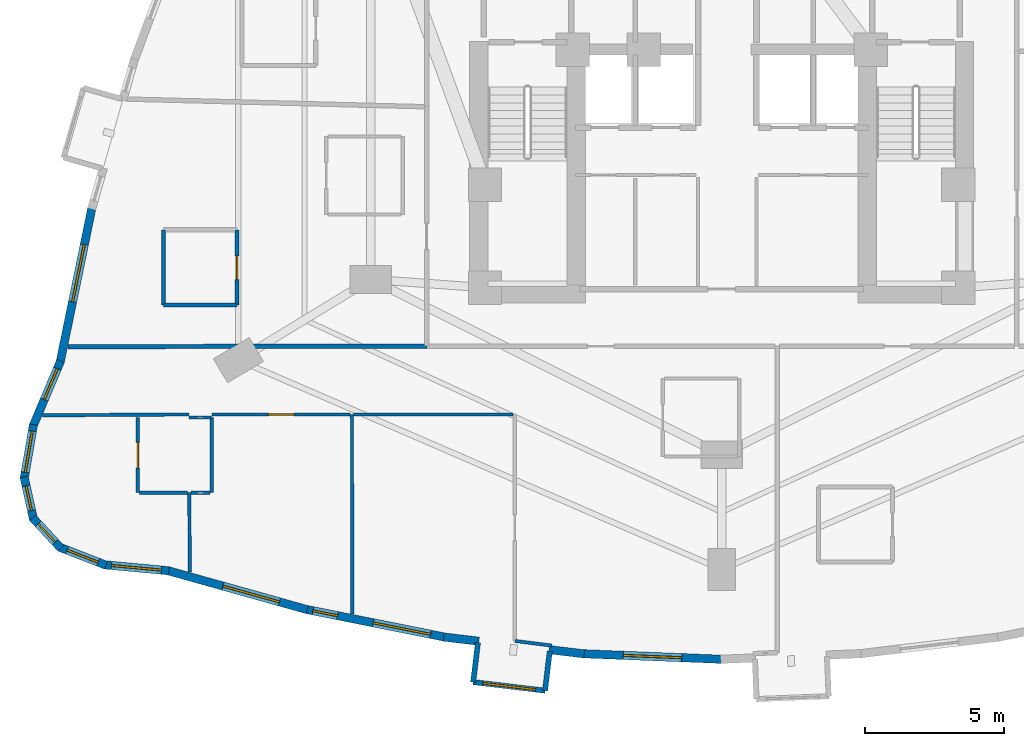
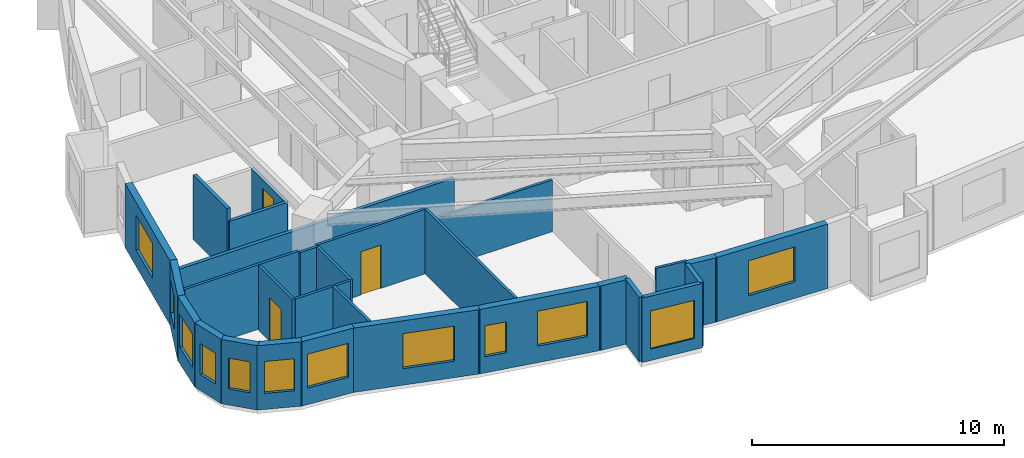
# One storey, part 8 of 15: 30 walls, 12 windows, 3 doors, 15 openings.
"""IFC4 building model written with IfcOpenShell, lengths in metres."""

import ifcopenshell
import ifcopenshell.guid

model = None  # the IFC model being written
_history = None  # IfcOwnerHistory: only IFC2X3 demands one
_inside = {}  # id of a spatial element -> (the spatial element, [elements in it])
_under = {}  # id of a project, library or spatial element -> (it, [spatial elements below it])
_declared = {}  # id of a project -> (the project, [libraries it declares])
_typed = {}  # id of a type object -> (the type object, [elements of that type])
_made_of = {}  # id of a material, layer set ... -> (it, [elements and type objects made of it])


def new_model(schema):
    """Start an empty IFC model of exactly this schema.

    Asked for "IFC4X3", IfcOpenShell would pick the latest addendum, in which some entities
    have other attributes; the version numbers below select the first issue.
    IFC2X3 requires an IfcOwnerHistory on every rooted entity: one is made here for all.
    """
    global model, _history
    if schema == "IFC4X3":
        model = ifcopenshell.file(schema_version=(4, 3, 0, 0))
    else:
        model = ifcopenshell.file(schema=schema)
    _inside.clear()
    _under.clear()
    _declared.clear()
    _typed.clear()
    _made_of.clear()
    _history = None
    if model.schema == "IFC2X3":
        org = make("IfcOrganization", Name="unknown")
        user = make(
            "IfcPersonAndOrganization",
            ThePerson=make("IfcPerson", FamilyName="unknown"),
            TheOrganization=org,
        )
        app = make(
            "IfcApplication",
            ApplicationDeveloper=org,
            Version="unknown",
            ApplicationFullName="unknown",
            ApplicationIdentifier="unknown",
        )
        _history = make(
            "IfcOwnerHistory",
            OwningUser=user,
            OwningApplication=app,
            ChangeAction="ADDED",
            CreationDate=0,
        )
    return model


def make(cls, **values):
    """One entity of the class cls with the attributes given. An attribute that is None is left unset."""
    return model.create_entity(
        cls, **{name: value for name, value in values.items() if value is not None}
    )


def rooted(cls, **values):
    """An entity with a GlobalId (a new one), such as an element, a storey or a relation."""
    return make(cls, GlobalId=ifcopenshell.guid.new(), OwnerHistory=_history, **values)


def si_unit(unit_type, name, prefix=None):
    """IfcSIUnit, for example si_unit("LENGTHUNIT", "METRE", prefix="MILLI")."""
    return make("IfcSIUnit", UnitType=unit_type, Prefix=prefix, Name=name)


def assignment(units):
    """IfcUnitAssignment: the units of a project."""
    return None if units is None else make("IfcUnitAssignment", Units=units)


def point(xyz):
    """IfcCartesianPoint."""
    return None if xyz is None else make("IfcCartesianPoint", Coordinates=xyz)


def direction(xyz):
    """IfcDirection."""
    return None if xyz is None else make("IfcDirection", DirectionRatios=xyz)


def frame(location, z_axis=None, x_axis=None):
    """IfcAxis2Placement3D, a coordinate frame: its origin and axes. An axis left out is left unset."""
    return make(
        "IfcAxis2Placement3D",
        Location=point(location),
        Axis=direction(z_axis),
        RefDirection=direction(x_axis),
    )


def frame_2d(location, x_axis=None):
    """IfcAxis2Placement2D, a coordinate frame in the plane: its origin and x axis."""
    return make(
        "IfcAxis2Placement2D", Location=point(location), RefDirection=direction(x_axis)
    )


def origin():
    """The frame at (0, 0, 0) with its axes left unset."""
    return frame((0.0, 0.0, 0.0))


def place(relative_to, where):
    """IfcLocalPlacement: puts the frame where relative to a parent placement (None: the world)."""
    return make(
        "IfcLocalPlacement", PlacementRelTo=relative_to, RelativePlacement=where
    )


def context(
    kind, dimensions, precision=None, world=None, true_north=None, identifier=None
):
    """IfcGeometricRepresentationContext, for example the 3D "Model" context."""
    return make(
        "IfcGeometricRepresentationContext",
        ContextIdentifier=identifier,
        ContextType=kind,
        CoordinateSpaceDimension=dimensions,
        Precision=precision,
        WorldCoordinateSystem=world,
        TrueNorth=true_north,
    )


def subcontext(parent, identifier, kind, view, scale=None):
    """IfcGeometricRepresentationSubContext, for example "Body" below "Model"."""
    return make(
        "IfcGeometricRepresentationSubContext",
        ContextIdentifier=identifier,
        ContextType=kind,
        ParentContext=parent,
        TargetScale=scale,
        TargetView=view,
    )


def project(units=None, contexts=None):
    """IfcProject with its units and contexts."""
    return rooted(
        "IfcProject",
        Name="project",
        RepresentationContexts=contexts,
        UnitsInContext=assignment(units),
    )


def spatial(cls, under=None, at=None, **own):
    """A site, building, storey or space (cls), placed at a placement, below another one or the project."""
    s = rooted(cls, ObjectPlacement=at, **own)
    if under is not None:
        _under.setdefault(under.id(), (under, []))[1].append(s)
    return s


def profile(cls, at=None, kind="AREA", **sizes):
    """A parametric profile (cls). Its sizes go by their IFC names, for example OverallWidth=200.0."""
    return make(cls, ProfileType=kind, Position=at, **sizes)


def rectangle(**sizes):
    """IfcRectangleProfileDef."""
    return profile("IfcRectangleProfileDef", **sizes)


def extrude(swept, where, along, depth):
    """IfcExtrudedAreaSolid: the profile swept, set in the frame where, extruded along a direction by depth."""
    return make(
        "IfcExtrudedAreaSolid",
        SweptArea=swept,
        Position=where,
        ExtrudedDirection=direction(along),
        Depth=depth,
    )


def shape(context_of_items, identifier, shape_type, items):
    """IfcShapeRepresentation: the items that make up one representation, for example the "Body"."""
    return make(
        "IfcShapeRepresentation",
        ContextOfItems=context_of_items,
        RepresentationIdentifier=identifier,
        RepresentationType=shape_type,
        Items=items,
    )


def material(Name=None, Category=None):
    """IfcMaterial."""
    return make("IfcMaterial", Name=Name, Category=Category)


def layer(
    of_material, thickness, ventilated=None, Name=None, Category=None, Priority=None
):
    """IfcMaterialLayer: one layer of a wall or slab, of a material (None: an air gap)."""
    return make(
        "IfcMaterialLayer",
        Material=of_material,
        LayerThickness=thickness,
        IsVentilated=ventilated,
        Name=Name,
        Category=Category,
        Priority=Priority,
    )


def layer_set(layers, Name=None):
    """IfcMaterialLayerSet."""
    return make("IfcMaterialLayerSet", MaterialLayers=layers, LayerSetName=Name)


def made_of(thing, what):
    """Note that an element or type object is made of a material, layer set ...; save() writes the relation."""
    if what is not None:
        _made_of.setdefault(what.id(), (what, []))[1].append(thing)
    return thing


def type_object(cls, material=None, **own):
    """A type object (cls), such as IfcWallType, which elements share."""
    return made_of(rooted(cls, **own), material)


def element(
    cls,
    number,
    at=None,
    inside=None,
    cuts=None,
    type_object=None,
    material=None,
    context=None,
    identifier="Body",
    shape_type=None,
    held_by="IfcProductDefinitionShape",
    body=None,
    shapes=None,
    **own,
):
    """One element of the class cls, such as IfcWall. Its Tag is "e" and its number.

    at: its placement. inside: the storey or other place that contains it. cuts: it is an
    opening in that element (IfcRelVoidsElement). A single representation is given by context,
    identifier, shape_type and body (its items); several are given by shapes. held_by: the class
    of the entity that holds the representations. save() writes the other relations.
    """
    e = rooted(cls, Tag="e%d" % number, ObjectPlacement=at, **own)
    if body is not None:
        shapes = [shape(context, identifier, shape_type, body)]
    if shapes is not None:
        e.Representation = make(held_by, Representations=shapes)
    if inside is not None:
        _inside.setdefault(inside.id(), (inside, []))[1].append(e)
    if cuts is not None:
        rooted(
            "IfcRelVoidsElement", RelatingBuildingElement=cuts, RelatedOpeningElement=e
        )
    if type_object is not None:
        _typed.setdefault(type_object.id(), (type_object, []))[1].append(e)
    return made_of(e, material)


def fill(opening, filler):
    """IfcRelFillsElement: the door or window that sits in an opening."""
    return rooted(
        "IfcRelFillsElement",
        RelatingOpeningElement=opening,
        RelatedBuildingElement=filler,
    )


def aggregate(whole, parts):
    """IfcRelAggregates: a whole, such as a stair, and the parts it consists of."""
    return rooted("IfcRelAggregates", RelatingObject=whole, RelatedObjects=parts)


def save(model, path):
    """Write the relations noted so far, then the file.

    IfcRelAggregates (storeys below a building ...), IfcRelContainedInSpatialStructure (elements
    in a storey), IfcRelDefinesByType, IfcRelAssociatesMaterial and IfcRelDeclares: one each for
    every whole, place, type object, material and project.
    """
    for whole, parts in _under.values():
        aggregate(whole, parts)
    for where, things in _inside.values():
        rooted(
            "IfcRelContainedInSpatialStructure",
            RelatedElements=things,
            RelatingStructure=where,
        )
    for kind, things in _typed.values():
        rooted("IfcRelDefinesByType", RelatedObjects=things, RelatingType=kind)
    for what, things in _made_of.values():
        rooted("IfcRelAssociatesMaterial", RelatedObjects=things, RelatingMaterial=what)
    for by, libraries in _declared.values():
        rooted("IfcRelDeclares", RelatingContext=by, RelatedDefinitions=libraries)
    model.write(path)


model = new_model("IFC4")

# Units and contexts
model_context = context("Model", 3, precision=1e-05, world=origin(), true_north=direction((0.0, 1.0)))
body_context = subcontext(model_context, "Body", "Model", "MODEL_VIEW")
ifc_project = project(units=[si_unit("LENGTHUNIT", "METRE"), si_unit("AREAUNIT", "SQUARE_METRE"), si_unit("VOLUMEUNIT", "CUBIC_METRE"), si_unit("PLANEANGLEUNIT", "RADIAN"), si_unit("MASSUNIT", "GRAM", prefix="KILO")], contexts=[model_context])

# Site, building, storey
site_placement = place(None, origin())
site = spatial("IfcSite", under=ifc_project, at=site_placement, CompositionType="ELEMENT")
building_placement = place(site_placement, origin())
building = spatial("IfcBuilding", under=site, at=building_placement, Name="Miruveldt Soraemaru", CompositionType="ELEMENT")
storey_placement = place(building_placement, frame((0.0, 0.0, 36.0)))
storey = spatial("IfcBuildingStorey", under=building, at=storey_placement, Name="L09", CompositionType="ELEMENT", Elevation=36.0)

# Walls
ifc_material_1 = material(Name="White powder-coated aluminium EN AW-6060 T6", Category="aluminium")
ifc_layer_1 = layer(ifc_material_1, 0.18994140625, Name="White powder-coated aluminium EN AW-6060 T6", Category="aluminium")
ifc_layer_set_1 = layer_set([ifc_layer_1], Name="White powder-coated aluminium EN AW-6060 T6")
wall_type_1 = type_object("IfcWallType", Name="WALL-BAY-ALU190", PredefinedType="SOLIDWALL", material=ifc_layer_set_1)
wall_1_placement = place(storey_placement, frame((35.244384765625, 22.7529296875, 0.0), z_axis=(0.0, 0.0, 1.0), x_axis=(-0.119057405757, -0.992887372331, 0.0)))
element("IfcWall", 1, at=wall_1_placement, inside=storey, type_object=wall_type_1, Name="L09 Bay Window Side Cheek 4L", PredefinedType="SOLIDWALL", context=body_context, shape_type="SweptSolid", body=[
    extrude(rectangle(XDim=1.42529296875, YDim=0.18994140625, at=frame_2d((0.712646484375, 0.0))), origin(), (0.0, 0.0, 1.0), 3.125),
])
wall_2_placement = place(storey_placement, frame((37.656005859375, 21.0283203125, 0.0), z_axis=(0.0, 0.0, 1.0), x_axis=(0.119077659317, 0.992884943511, 0.0)))
element("IfcWall", 2, at=wall_2_placement, inside=storey, type_object=wall_type_1, Name="L09 Bay Window Side Cheek 4R", PredefinedType="SOLIDWALL", context=body_context, shape_type="SweptSolid", body=[
    extrude(rectangle(XDim=1.425048828125, YDim=0.18994140625, at=frame_2d((0.71240234375, 0.0))), origin(), (0.0, 0.0, 1.0), 3.125),
])

# Wall, opening, window
wall_3_placement = place(storey_placement, frame((35.07470703125, 21.337890625, 0.0), z_axis=(0.0, 0.0, 1.0), x_axis=(0.992885278793, -0.119074863663, 0.0)))
wall_3 = element("IfcWall", 3, at=wall_3_placement, inside=storey, type_object=wall_type_1, Name="L09 Bay Window Front Frame 4", PredefinedType="SOLIDWALL", context=body_context, shape_type="SweptSolid", body=[
    extrude(rectangle(XDim=2.599853515625, YDim=0.18994140625, at=frame_2d((1.2998046875, 0.0))), origin(), (0.0, 0.0, 1.0), 3.125),
])
opening_1_placement = place(wall_3_placement, frame((0.35009765625, 0.0, 0.550048828125)))
opening_1 = element("IfcOpeningElement", 4, at=opening_1_placement, cuts=wall_3, Name="Opening WN-6", PredefinedType="OPENING", context=body_context, shape_type="SweptSolid", body=[
    extrude(rectangle(XDim=1.89990234375, YDim=1.85009765625, at=frame_2d((0.949951171875, 0.925048828125))), frame((0.0, 0.10498046875, 0.0), z_axis=(0.0, -1.0, 0.0), x_axis=(1.0, 0.0, 0.0)), (0.0, 0.0, 1.0), 0.2099609375),
])
ifc_material_2 = material(Name="Triple low-e insulated glazing", Category="glass")
window_type_1 = type_object("IfcWindowType", Name="WIN-BAYW-1900x1850", PartitioningType="SINGLE_PANEL", PredefinedType="WINDOW", material=ifc_material_2)
window_1_placement = place(opening_1_placement, origin())
window_1 = element("IfcWindow", 5, at=window_1_placement, inside=storey, type_object=window_type_1, Name="L09 Projecting Bay Window 4", OverallHeight=1.85009765625, OverallWidth=1.89990234375, PartitioningType="SINGLE_PANEL", PredefinedType="WINDOW", context=body_context, shape_type="SweptSolid", body=[
    extrude(rectangle(XDim=1.89990234375, YDim=1.85009765625, at=frame_2d((0.949951171875, 0.925048828125))), frame((0.0, 0.030029296875, 0.0), z_axis=(0.0, -1.0, 0.0), x_axis=(1.0, 0.0, 0.0)), (0.0, 0.0, 1.0), 0.06005859375),
])
fill(opening_1, window_1)

ifc_material_3 = material(Name="Precast concrete C45/55 (45 MPa)", Category="concrete")
ifc_layer_2 = layer(ifc_material_3, 0.300048828125, Name="Precast concrete C45/55 (45 MPa)", Category="concrete")
ifc_layer_set_2 = layer_set([ifc_layer_2], Name="Precast concrete C45/55 (45 MPa)")
wall_type_2 = type_object("IfcWallType", Name="WALL-EXT-PC300", PredefinedType="SOLIDWALL", material=ifc_layer_set_2)
wall_4_placement = place(storey_placement, frame((21.386474609375, 38.39306640625, 0.0), z_axis=(0.0, 0.0, 1.0), x_axis=(-0.201578050416, -0.979472454738, 0.0)))
wall_4 = element("IfcWall", 6, at=wall_4_placement, inside=storey, type_object=wall_type_2, Name="L09 Precast Concrete Facade Wall 14", PredefinedType="SOLIDWALL", context=body_context, shape_type="SweptSolid", body=[
    extrude(rectangle(XDim=5.70458984375, YDim=0.300048828125, at=frame_2d((2.852294921875, 0.0))), origin(), (0.0, 0.0, 1.0), 3.125),
])
opening_2_placement = place(wall_4_placement, frame((1.3701171875, 0.0, 0.800048828125)))
opening_2 = element("IfcOpeningElement", 7, at=opening_2_placement, cuts=wall_4, Name="Opening WN-1", PredefinedType="OPENING", context=body_context, shape_type="SweptSolid", body=[
    extrude(rectangle(XDim=2.10009765625, YDim=1.699951171875, at=frame_2d((1.050048828125, 0.85009765625))), frame((0.0, 0.16015625, 0.0), z_axis=(0.0, -1.0, 0.0), x_axis=(1.0, 0.0, 0.0)), (0.0, 0.0, 1.0), 0.320068359375),
])
window_type_2 = type_object("IfcWindowType", Name="WIN-PUNCH-2100x1700", PartitioningType="SINGLE_PANEL", PredefinedType="WINDOW", material=ifc_material_2)
window_2_placement = place(opening_2_placement, origin())
window_2 = element("IfcWindow", 8, at=window_2_placement, inside=storey, type_object=window_type_2, Name="L09 Punched Triple-Glazed Window 14.1", OverallHeight=1.699951171875, OverallWidth=2.10009765625, PartitioningType="SINGLE_PANEL", PredefinedType="WINDOW", context=body_context, shape_type="SweptSolid", body=[
    extrude(rectangle(XDim=2.10009765625, YDim=1.699951171875, at=frame_2d((1.050048828125, 0.85009765625))), frame((0.0, 0.030029296875, 0.0), z_axis=(0.0, -1.0, 0.0), x_axis=(1.0, 0.0, 0.0)), (0.0, 0.0, 1.0), 0.06005859375),
])
fill(opening_2, window_2)

wall_5_placement = place(storey_placement, frame((20.25732421875, 32.8720703125, 0.0), z_axis=(0.0, 0.0, 1.0), x_axis=(-0.388671385618, -0.921376445326, 0.0)))
wall_5 = element("IfcWall", 9, at=wall_5_placement, inside=storey, type_object=wall_type_2, Name="L09 Precast Concrete Facade Wall 15", PredefinedType="SOLIDWALL", context=body_context, shape_type="SweptSolid", body=[
    extrude(rectangle(XDim=2.557861328125, YDim=0.300048828125, at=frame_2d((1.27880859375, 0.0))), origin(), (0.0, 0.0, 1.0), 3.125),
])
opening_3_placement = place(wall_5_placement, frame((0.305908203125, 0.0, 0.780029296875)))
opening_3 = element("IfcOpeningElement", 10, at=opening_3_placement, cuts=wall_5, Name="Opening WN-4", PredefinedType="OPENING", context=body_context, shape_type="SweptSolid", body=[
    extrude(rectangle(XDim=1.199951171875, YDim=1.550048828125, at=frame_2d((0.60009765625, 0.77490234375))), frame((0.0, 0.16015625, 0.0), z_axis=(0.0, -1.0, 0.0), x_axis=(1.0, 0.0, 0.0)), (0.0, 0.0, 1.0), 0.320068359375),
])
window_type_3 = type_object("IfcWindowType", Name="WIN-PUNCH-1200x1550", PartitioningType="SINGLE_PANEL", PredefinedType="WINDOW", material=ifc_material_2)
window_3_placement = place(opening_3_placement, origin())
window_3 = element("IfcWindow", 11, at=window_3_placement, inside=storey, type_object=window_type_3, Name="L09 Punched Triple-Glazed Window 15.1", OverallHeight=1.550048828125, OverallWidth=1.199951171875, PartitioningType="SINGLE_PANEL", PredefinedType="WINDOW", context=body_context, shape_type="SweptSolid", body=[
    extrude(rectangle(XDim=1.199951171875, YDim=1.550048828125, at=frame_2d((0.60009765625, 0.77490234375))), frame((0.0, 0.030029296875, 0.0), z_axis=(0.0, -1.0, 0.0), x_axis=(1.0, 0.0, 0.0)), (0.0, 0.0, 1.0), 0.06005859375),
])
fill(opening_3, window_3)

wall_6_placement = place(storey_placement, frame((19.28271484375, 30.58203125, 0.0), z_axis=(0.0, 0.0, 1.0), x_axis=(-0.169272905245, -0.985569218041, 0.0)))
wall_6 = element("IfcWall", 12, at=wall_6_placement, inside=storey, type_object=wall_type_2, Name="L09 Precast Concrete Facade Wall 16", PredefinedType="SOLIDWALL", context=body_context, shape_type="SweptSolid", body=[
    extrude(rectangle(XDim=1.97314453125, YDim=0.300048828125, at=frame_2d((0.986572265625, 0.0))), origin(), (0.0, 0.0, 1.0), 3.125),
])
opening_4_placement = place(wall_6_placement, frame((0.236083984375, 0.0, 0.800048828125)))
opening_4 = element("IfcOpeningElement", 13, at=opening_4_placement, cuts=wall_6, Name="Opening WN-3", PredefinedType="OPENING", context=body_context, shape_type="SweptSolid", body=[
    extrude(rectangle(XDim=1.5, YDim=1.60009765625, at=frame_2d((0.75, 0.800048828125))), frame((0.0, 0.16015625, 0.0), z_axis=(0.0, -1.0, 0.0), x_axis=(1.0, 0.0, 0.0)), (0.0, 0.0, 1.0), 0.320068359375),
])
window_type_4 = type_object("IfcWindowType", Name="WIN-PUNCH-1500x1600", PartitioningType="SINGLE_PANEL", PredefinedType="WINDOW", material=ifc_material_2)
window_4_placement = place(opening_4_placement, origin())
window_4 = element("IfcWindow", 14, at=window_4_placement, inside=storey, type_object=window_type_4, Name="L09 Punched Triple-Glazed Window 16.1", OverallHeight=1.60009765625, OverallWidth=1.5, PartitioningType="SINGLE_PANEL", PredefinedType="WINDOW", context=body_context, shape_type="SweptSolid", body=[
    extrude(rectangle(XDim=1.5, YDim=1.60009765625, at=frame_2d((0.75, 0.800048828125))), frame((0.0, 0.030029296875, 0.0), z_axis=(0.0, -1.0, 0.0), x_axis=(1.0, 0.0, 0.0)), (0.0, 0.0, 1.0), 0.06005859375),
])
fill(opening_4, window_4)

wall_7_placement = place(storey_placement, frame((18.947021484375, 28.706298828125, 0.0), z_axis=(0.0, 0.0, 1.0), x_axis=(0.215707327846, -0.976458062957, 0.0)))
wall_7 = element("IfcWall", 15, at=wall_7_placement, inside=storey, type_object=wall_type_2, Name="L09 Precast Concrete Facade Wall 17", PredefinedType="SOLIDWALL", context=body_context, shape_type="SweptSolid", body=[
    extrude(rectangle(XDim=1.564208984375, YDim=0.300048828125, at=frame_2d((0.7822265625, 0.0))), origin(), (0.0, 0.0, 1.0), 3.125),
])
opening_5_placement = place(wall_7_placement, frame((0.33203125, 0.0, 0.780029296875)))
opening_5 = element("IfcOpeningElement", 16, at=opening_5_placement, cuts=wall_7, Name="Opening WN-7", PredefinedType="OPENING", context=body_context, shape_type="SweptSolid", body=[
    extrude(rectangle(XDim=0.89990234375, YDim=1.5, at=frame_2d((0.449951171875, 0.75))), frame((0.0, 0.16015625, 0.0), z_axis=(0.0, -1.0, 0.0), x_axis=(1.0, 0.0, 0.0)), (0.0, 0.0, 1.0), 0.320068359375),
])
window_type_5 = type_object("IfcWindowType", Name="WIN-PUNCH-900x1500", PartitioningType="SINGLE_PANEL", PredefinedType="WINDOW", material=ifc_material_2)
window_5_placement = place(opening_5_placement, origin())
window_5 = element("IfcWindow", 17, at=window_5_placement, inside=storey, type_object=window_type_5, Name="L09 Punched Triple-Glazed Window 17.1", OverallHeight=1.5, OverallWidth=0.89990234375, PartitioningType="SINGLE_PANEL", PredefinedType="WINDOW", context=body_context, shape_type="SweptSolid", body=[
    extrude(rectangle(XDim=0.89990234375, YDim=1.5, at=frame_2d((0.449951171875, 0.75))), frame((0.0, 0.030029296875, 0.0), z_axis=(0.0, -1.0, 0.0), x_axis=(1.0, 0.0, 0.0)), (0.0, 0.0, 1.0), 0.06005859375),
])
fill(opening_5, window_5)

wall_8_placement = place(storey_placement, frame((19.253173828125, 27.239013671875, 0.0), z_axis=(0.0, 0.0, 1.0), x_axis=(0.680093162968, -0.73312569842, 0.0)))
wall_8 = element("IfcWall", 18, at=wall_8_placement, inside=storey, type_object=wall_type_2, Name="L09 Precast Concrete Facade Wall 18", PredefinedType="SOLIDWALL", context=body_context, shape_type="SweptSolid", body=[
    extrude(rectangle(XDim=1.491455078125, YDim=0.300048828125, at=frame_2d((0.74560546875, 0.0))), origin(), (0.0, 0.0, 1.0), 3.125),
])
opening_6_placement = place(wall_8_placement, frame((0.294921875, 0.0, 0.780029296875)))
opening_6 = element("IfcOpeningElement", 19, at=opening_6_placement, cuts=wall_8, Name="Opening WN-7", PredefinedType="OPENING", context=body_context, shape_type="SweptSolid", body=[
    extrude(rectangle(XDim=0.89990234375, YDim=1.5, at=frame_2d((0.449951171875, 0.75))), frame((0.0, 0.16015625, 0.0), z_axis=(0.0, -1.0, 0.0), x_axis=(1.0, 0.0, 0.0)), (0.0, 0.0, 1.0), 0.320068359375),
])
window_6_placement = place(opening_6_placement, origin())
window_6 = element("IfcWindow", 20, at=window_6_placement, inside=storey, type_object=window_type_5, Name="L09 Punched Triple-Glazed Window 18.1", OverallHeight=1.5, OverallWidth=0.89990234375, PartitioningType="SINGLE_PANEL", PredefinedType="WINDOW", context=body_context, shape_type="SweptSolid", body=[
    extrude(rectangle(XDim=0.89990234375, YDim=1.5, at=frame_2d((0.449951171875, 0.75))), frame((0.0, 0.030029296875, 0.0), z_axis=(0.0, -1.0, 0.0), x_axis=(1.0, 0.0, 0.0)), (0.0, 0.0, 1.0), 0.06005859375),
])
fill(opening_6, window_6)

wall_9_placement = place(storey_placement, frame((20.211181640625, 26.18408203125, 0.0), z_axis=(0.0, 0.0, 1.0), x_axis=(0.932256673609, -0.361797587763, 0.0)))
wall_9 = element("IfcWall", 21, at=wall_9_placement, inside=storey, type_object=wall_type_2, Name="L09 Precast Concrete Facade Wall 19", PredefinedType="SOLIDWALL", context=body_context, shape_type="SweptSolid", body=[
    extrude(rectangle(XDim=1.79833984375, YDim=0.300048828125, at=frame_2d((0.899169921875, 0.0))), origin(), (0.0, 0.0, 1.0), 3.125),
])
opening_7_placement = place(wall_9_placement, frame((0.299072265625, 0.0, 0.780029296875)))
opening_7 = element("IfcOpeningElement", 22, at=opening_7_placement, cuts=wall_9, Name="Opening WN-4", PredefinedType="OPENING", context=body_context, shape_type="SweptSolid", body=[
    extrude(rectangle(XDim=1.199951171875, YDim=1.550048828125, at=frame_2d((0.60009765625, 0.77490234375))), frame((0.0, 0.16015625, 0.0), z_axis=(0.0, -1.0, 0.0), x_axis=(1.0, 0.0, 0.0)), (0.0, 0.0, 1.0), 0.320068359375),
])
window_7_placement = place(opening_7_placement, origin())
window_7 = element("IfcWindow", 23, at=window_7_placement, inside=storey, type_object=window_type_3, Name="L09 Punched Triple-Glazed Window 19.1", OverallHeight=1.550048828125, OverallWidth=1.199951171875, PartitioningType="SINGLE_PANEL", PredefinedType="WINDOW", context=body_context, shape_type="SweptSolid", body=[
    extrude(rectangle(XDim=1.199951171875, YDim=1.550048828125, at=frame_2d((0.60009765625, 0.77490234375))), frame((0.0, 0.030029296875, 0.0), z_axis=(0.0, -1.0, 0.0), x_axis=(1.0, 0.0, 0.0)), (0.0, 0.0, 1.0), 0.06005859375),
])
fill(opening_7, window_7)

wall_10_placement = place(storey_placement, frame((21.8203125, 25.54931640625, 0.0), z_axis=(0.0, 0.0, 1.0), x_axis=(0.995760200103, -0.09198708546, 0.0)))
wall_10 = element("IfcWall", 24, at=wall_10_placement, inside=storey, type_object=wall_type_2, Name="L09 Precast Concrete Facade Wall 20", PredefinedType="SOLIDWALL", context=body_context, shape_type="SweptSolid", body=[
    extrude(rectangle(XDim=2.335693359375, YDim=0.300048828125, at=frame_2d((1.16796875, 0.0))), origin(), (0.0, 0.0, 1.0), 3.125),
])
opening_8_placement = place(wall_10_placement, frame((0.26806640625, 0.0, 0.800048828125)))
opening_8 = element("IfcOpeningElement", 25, at=opening_8_placement, cuts=wall_10, Name="Opening WN-2", PredefinedType="OPENING", context=body_context, shape_type="SweptSolid", body=[
    extrude(rectangle(XDim=1.800048828125, YDim=1.64990234375, at=frame_2d((0.89990234375, 0.824951171875))), frame((0.0, 0.16015625, 0.0), z_axis=(0.0, -1.0, 0.0), x_axis=(1.0, 0.0, 0.0)), (0.0, 0.0, 1.0), 0.320068359375),
])
window_type_6 = type_object("IfcWindowType", Name="WIN-PUNCH-1800x1650", PartitioningType="SINGLE_PANEL", PredefinedType="WINDOW", material=ifc_material_2)
window_8_placement = place(opening_8_placement, origin())
window_8 = element("IfcWindow", 26, at=window_8_placement, inside=storey, type_object=window_type_6, Name="L09 Punched Triple-Glazed Window 20.1", OverallHeight=1.64990234375, OverallWidth=1.800048828125, PartitioningType="SINGLE_PANEL", PredefinedType="WINDOW", context=body_context, shape_type="SweptSolid", body=[
    extrude(rectangle(XDim=1.800048828125, YDim=1.64990234375, at=frame_2d((0.89990234375, 0.824951171875))), frame((0.0, 0.030029296875, 0.0), z_axis=(0.0, -1.0, 0.0), x_axis=(1.0, 0.0, 0.0)), (0.0, 0.0, 1.0), 0.06005859375),
])
fill(opening_8, window_8)

wall_11_placement = place(storey_placement, frame((24.077392578125, 25.34716796875, 0.0), z_axis=(0.0, 0.0, 1.0), x_axis=(0.962961112649, -0.269640307679, 0.0)))
wall_11 = element("IfcWall", 27, at=wall_11_placement, inside=storey, type_object=wall_type_2, Name="L09 Precast Concrete Facade Wall 21", PredefinedType="SOLIDWALL", context=body_context, shape_type="SweptSolid", body=[
    extrude(rectangle(XDim=5.2333984375, YDim=0.300048828125, at=frame_2d((2.61669921875, 0.0))), origin(), (0.0, 0.0, 1.0), 3.125),
])
opening_9_placement = place(wall_11_placement, frame((2.091064453125, 0.0, 0.800048828125)))
opening_9 = element("IfcOpeningElement", 28, at=opening_9_placement, cuts=wall_11, Name="Opening WN-1", PredefinedType="OPENING", context=body_context, shape_type="SweptSolid", body=[
    extrude(rectangle(XDim=2.10009765625, YDim=1.699951171875, at=frame_2d((1.050048828125, 0.85009765625))), frame((0.0, 0.16015625, 0.0), z_axis=(0.0, -1.0, 0.0), x_axis=(1.0, 0.0, 0.0)), (0.0, 0.0, 1.0), 0.320068359375),
])
window_9_placement = place(opening_9_placement, origin())
window_9 = element("IfcWindow", 29, at=window_9_placement, inside=storey, type_object=window_type_2, Name="L09 Punched Triple-Glazed Window 21.1", OverallHeight=1.699951171875, OverallWidth=2.10009765625, PartitioningType="SINGLE_PANEL", PredefinedType="WINDOW", context=body_context, shape_type="SweptSolid", body=[
    extrude(rectangle(XDim=2.10009765625, YDim=1.699951171875, at=frame_2d((1.050048828125, 0.85009765625))), frame((0.0, 0.030029296875, 0.0), z_axis=(0.0, -1.0, 0.0), x_axis=(1.0, 0.0, 0.0)), (0.0, 0.0, 1.0), 0.06005859375),
])
fill(opening_9, window_9)

# Wall, openings, windows
wall_12_placement = place(storey_placement, frame((29.048828125, 23.952392578125, 0.0), z_axis=(0.0, 0.0, 1.0), x_axis=(0.980577022431, -0.196134400554, 0.0)))
wall_12 = element("IfcWall", 30, at=wall_12_placement, inside=storey, type_object=wall_type_2, Name="L09 Precast Concrete Facade Wall 22", PredefinedType="SOLIDWALL", context=body_context, shape_type="SweptSolid", body=[
    extrude(rectangle(XDim=5.140869140625, YDim=0.300048828125, at=frame_2d((2.5703125, 0.0))), origin(), (0.0, 0.0, 1.0), 3.125),
])
opening_10_placement = place(wall_12_placement, frame((0.27392578125, 0.0, 0.780029296875)))
opening_10 = element("IfcOpeningElement", 31, at=opening_10_placement, cuts=wall_12, Name="Opening WN-7", PredefinedType="OPENING", context=body_context, shape_type="SweptSolid", body=[
    extrude(rectangle(XDim=0.89990234375, YDim=1.5, at=frame_2d((0.449951171875, 0.75))), frame((0.0, 0.16015625, 0.0), z_axis=(0.0, -1.0, 0.0), x_axis=(1.0, 0.0, 0.0)), (0.0, 0.0, 1.0), 0.320068359375),
])
opening_11_placement = place(wall_12_placement, frame((2.485107421875, 0.0, 0.800048828125)))
opening_11 = element("IfcOpeningElement", 32, at=opening_11_placement, cuts=wall_12, Name="Opening WN-1", PredefinedType="OPENING", context=body_context, shape_type="SweptSolid", body=[
    extrude(rectangle(XDim=2.10009765625, YDim=1.699951171875, at=frame_2d((1.050048828125, 0.85009765625))), frame((0.0, 0.16015625, 0.0), z_axis=(0.0, -1.0, 0.0), x_axis=(1.0, 0.0, 0.0)), (0.0, 0.0, 1.0), 0.320068359375),
])
window_10_placement = place(opening_11_placement, origin())
window_10 = element("IfcWindow", 33, at=window_10_placement, inside=storey, type_object=window_type_2, Name="L09 Punched Triple-Glazed Window 22.2", OverallHeight=1.699951171875, OverallWidth=2.10009765625, PartitioningType="SINGLE_PANEL", PredefinedType="WINDOW", context=body_context, shape_type="SweptSolid", body=[
    extrude(rectangle(XDim=2.10009765625, YDim=1.699951171875, at=frame_2d((1.050048828125, 0.85009765625))), frame((0.0, 0.030029296875, 0.0), z_axis=(0.0, -1.0, 0.0), x_axis=(1.0, 0.0, 0.0)), (0.0, 0.0, 1.0), 0.06005859375),
])
fill(opening_11, window_10)
window_11_placement = place(opening_10_placement, origin())
window_11 = element("IfcWindow", 34, at=window_11_placement, inside=storey, type_object=window_type_5, Name="L09 Punched Triple-Glazed Window 22.1", OverallHeight=1.5, OverallWidth=0.89990234375, PartitioningType="SINGLE_PANEL", PredefinedType="WINDOW", context=body_context, shape_type="SweptSolid", body=[
    extrude(rectangle(XDim=0.89990234375, YDim=1.5, at=frame_2d((0.449951171875, 0.75))), frame((0.0, 0.030029296875, 0.0), z_axis=(0.0, -1.0, 0.0), x_axis=(1.0, 0.0, 0.0)), (0.0, 0.0, 1.0), 0.06005859375),
])
fill(opening_10, window_11)

# Walls
for number, where, z_axis, x_axis, name in (
    (35, (34.020751953125, 22.955078125, 0.0), (0.0, 0.0, 1.0), (0.992884119236, -0.11908453203, 0.0), "L09 Precast Pier Wall 23A"),
    (36, (37.802490234375, 22.50146484375, 0.0), (0.0, 0.0, 1.0), (0.992861354933, -0.119274179434, 0.0), "L09 Precast Pier Wall 23B"),
):
    element("IfcWall", number, at=place(storey_placement, frame(where, z_axis=z_axis, x_axis=x_axis)), inside=storey, type_object=wall_type_2, Name=name, PredefinedType="SOLIDWALL", context=body_context, shape_type="SweptSolid", body=[
        extrude(rectangle(XDim=1.26904296875, YDim=0.300048828125, at=frame_2d((0.634521484375, 0.0))), origin(), (0.0, 0.0, 1.0), 3.125),
    ])

# Wall, opening, window
wall_13_placement = place(storey_placement, frame((38.99267578125, 22.355712890625, 0.0), z_axis=(0.0, 0.0, 1.0), x_axis=(0.99920119056, -0.03996224197, 0.0)))
wall_13 = element("IfcWall", 37, at=wall_13_placement, inside=storey, type_object=wall_type_2, Name="L09 Precast Concrete Facade Wall 24", PredefinedType="SOLIDWALL", context=body_context, shape_type="SweptSolid", body=[
    extrude(rectangle(XDim=5.04638671875, YDim=0.300048828125, at=frame_2d((2.523193359375, 0.0))), origin(), (0.0, 0.0, 1.0), 3.125),
])
opening_12_placement = place(wall_13_placement, frame((1.472900390625, 0.0, 0.800048828125)))
opening_12 = element("IfcOpeningElement", 38, at=opening_12_placement, cuts=wall_13, Name="Opening WN-1", PredefinedType="OPENING", context=body_context, shape_type="SweptSolid", body=[
    extrude(rectangle(XDim=2.10009765625, YDim=1.699951171875, at=frame_2d((1.050048828125, 0.85009765625))), frame((0.0, 0.16015625, 0.0), z_axis=(0.0, -1.0, 0.0), x_axis=(1.0, 0.0, 0.0)), (0.0, 0.0, 1.0), 0.320068359375),
])
window_12_placement = place(opening_12_placement, origin())
window_12 = element("IfcWindow", 39, at=window_12_placement, inside=storey, type_object=window_type_2, Name="L09 Punched Triple-Glazed Window 24.1", OverallHeight=1.699951171875, OverallWidth=2.10009765625, PartitioningType="SINGLE_PANEL", PredefinedType="WINDOW", context=body_context, shape_type="SweptSolid", body=[
    extrude(rectangle(XDim=2.10009765625, YDim=1.699951171875, at=frame_2d((1.050048828125, 0.85009765625))), frame((0.0, 0.030029296875, 0.0), z_axis=(0.0, -1.0, 0.0), x_axis=(1.0, 0.0, 0.0)), (0.0, 0.0, 1.0), 0.06005859375),
])
fill(opening_12, window_12)

# Wall, opening, door
ifc_material_4 = material(Name="Gypsum plasterboard lining", Category="gypsum")
ifc_layer_3 = layer(ifc_material_4, 0.1201171875, Name="Gypsum plasterboard lining", Category="gypsum")
ifc_layer_set_3 = layer_set([ifc_layer_3], Name="Gypsum plasterboard lining")
wall_type_3 = type_object("IfcWallType", Name="WALL-INT-P120", PredefinedType="PARTITIONING", material=ifc_layer_set_3)
wall_14_placement = place(storey_placement, frame((25.69189453125, 30.949951171875, 0.0), z_axis=(0.0, 0.0, 1.0), x_axis=(1.0, 0.0, 0.0)))
wall_14 = element("IfcWall", 40, at=wall_14_placement, inside=storey, type_object=wall_type_3, Name="L09 Partition Wall 93", PredefinedType="PARTITIONING", context=body_context, shape_type="SweptSolid", body=[
    extrude(rectangle(XDim=4.968017578125, YDim=0.1201171875, at=frame_2d((2.48388671875, 0.0))), origin(), (0.0, 0.0, 1.0), 3.125),
])
opening_13_placement = place(wall_14_placement, frame((2.02392578125, 0.0, 0.0)))
opening_13 = element("IfcOpeningElement", 41, at=opening_13_placement, cuts=wall_14, Name="Opening D3A", PredefinedType="OPENING", context=body_context, shape_type="SweptSolid", body=[
    extrude(rectangle(XDim=0.919921875, YDim=2.10009765625, at=frame_2d((0.4599609375, 1.050048828125))), frame((0.0, 0.070068359375, 0.0), z_axis=(0.0, -1.0, 0.0), x_axis=(1.0, 0.0, 0.0)), (0.0, 0.0, 1.0), 0.14013671875),
])
ifc_material_5 = material(Name="Anodised aluminium EN AW-6063 T6", Category="aluminium")
door_type_1 = type_object("IfcDoorType", Name="DOOR-INT-920", OperationType="NOTDEFINED", PredefinedType="DOOR", material=ifc_material_5)
door_1_placement = place(opening_13_placement, origin())
door_1 = element("IfcDoor", 42, at=door_1_placement, inside=storey, type_object=door_type_1, Name="L09 Unit 0908 BD2 Door", OperationType="SINGLE_SWING_LEFT", OverallHeight=2.10009765625, OverallWidth=0.919921875, PredefinedType="DOOR", context=body_context, shape_type="SweptSolid", body=[
    extrude(rectangle(XDim=0.919921875, YDim=2.10009765625, at=frame_2d((0.4599609375, 1.050048828125))), frame((0.0, 0.02490234375, 0.0), z_axis=(0.0, -1.0, 0.0), x_axis=(1.0, 0.0, 0.0)), (0.0, 0.0, 1.0), 0.050048828125),
])
fill(opening_13, door_1)

wall_15_placement = place(storey_placement, frame((23.033935546875, 30.837890625, 0.0), z_axis=(0.0, 0.0, 1.0), x_axis=(0.0, -1.0, 0.0)))
wall_15 = element("IfcWall", 43, at=wall_15_placement, inside=storey, type_object=wall_type_3, Name="L09 Partition Wall 89", PredefinedType="PARTITIONING", context=body_context, shape_type="SweptSolid", body=[
    extrude(rectangle(XDim=2.699951171875, YDim=0.1201171875, at=frame_2d((1.35009765625, 0.0))), origin(), (0.0, 0.0, 1.0), 3.125),
])
opening_14_placement = place(wall_15_placement, frame((0.889892578125, 0.0, 0.0)))
opening_14 = element("IfcOpeningElement", 44, at=opening_14_placement, cuts=wall_15, Name="Opening D3A", PredefinedType="OPENING", context=body_context, shape_type="SweptSolid", body=[
    extrude(rectangle(XDim=0.919921875, YDim=2.10009765625, at=frame_2d((0.4599609375, 1.050048828125))), frame((0.0, 0.070068359375, 0.0), z_axis=(0.0, -1.0, 0.0), x_axis=(1.0, 0.0, 0.0)), (0.0, 0.0, 1.0), 0.14013671875),
])
door_2_placement = place(opening_14_placement, origin())
door_2 = element("IfcDoor", 45, at=door_2_placement, inside=storey, type_object=door_type_1, Name="L09 Unit 0908 BD1 Door", OperationType="SINGLE_SWING_RIGHT", OverallHeight=2.10009765625, OverallWidth=0.919921875, PredefinedType="DOOR", context=body_context, shape_type="SweptSolid", body=[
    extrude(rectangle(XDim=0.919921875, YDim=2.10009765625, at=frame_2d((0.4599609375, 1.050048828125))), frame((0.0, 0.02490234375, 0.0), z_axis=(0.0, -1.0, 0.0), x_axis=(1.0, 0.0, 0.0)), (0.0, 0.0, 1.0), 0.050048828125),
])
fill(opening_14, door_2)

# Walls
wall_16_placement = place(storey_placement, frame((30.737060546875, 23.782958984375, 0.0), z_axis=(0.0, 0.0, 1.0), x_axis=(-0.002384514273, 0.999997157042, 0.0)))
element("IfcWall", 46, at=wall_16_placement, inside=storey, type_object=wall_type_3, Name="L09 Partition Wall 98", PredefinedType="PARTITIONING", context=body_context, shape_type="SweptSolid", body=[
    extrude(rectangle(XDim=7.1669921875, YDim=0.1201171875, at=frame_2d((3.58349609375, 0.0))), origin(), (0.0, 0.0, 1.0), 3.125),
])
wall_17_placement = place(storey_placement, frame((30.780029296875, 30.949951171875, 0.0), z_axis=(0.0, 0.0, 1.0), x_axis=(1.0, 0.0, 0.0)))
element("IfcWall", 47, at=wall_17_placement, inside=storey, type_object=wall_type_3, Name="L09 Partition Wall 94", PredefinedType="PARTITIONING", context=body_context, shape_type="SweptSolid", body=[
    extrude(rectangle(XDim=5.722900390625, YDim=0.1201171875, at=frame_2d((2.861328125, 0.0))), origin(), (0.0, 0.0, 1.0), 2.512939453125),
])
wall_18_placement = place(storey_placement, frame((19.612060546875, 30.9169921875, 0.0), z_axis=(0.0, 0.0, 1.0), x_axis=(0.999980413143, 0.006258860206, 0.0)))
element("IfcWall", 48, at=wall_18_placement, inside=storey, type_object=wall_type_3, Name="L09 Partition Wall 109", PredefinedType="PARTITIONING", context=body_context, shape_type="SweptSolid", body=[
    extrude(rectangle(XDim=5.265869140625, YDim=0.1201171875, at=frame_2d((2.6328125, 0.0))), origin(), (0.0, 0.0, 1.0), 3.125),
])
wall_19_placement = place(storey_placement, frame((24.90087890625, 25.2880859375, 0.0), z_axis=(0.0, 0.0, 1.0), x_axis=(-0.008052510266, 0.999967578014, 0.0)))
element("IfcWall", 49, at=wall_19_placement, inside=storey, type_object=wall_type_3, Name="L09 Partition Wall 97", PredefinedType="PARTITIONING", context=body_context, shape_type="SweptSolid", body=[
    extrude(rectangle(XDim=2.849853515625, YDim=0.1201171875, at=frame_2d((1.4248046875, 0.0))), origin(), (0.0, 0.0, 1.0), 3.125),
])
wall_20_placement = place(storey_placement, frame((25.68408203125, 28.137939453125, 0.0), z_axis=(0.0, 0.0, 1.0), x_axis=(0.0, 1.0, 0.0)))
element("IfcWall", 50, at=wall_20_placement, inside=storey, type_object=wall_type_3, Name="L09 Partition Wall 92", PredefinedType="PARTITIONING", context=body_context, shape_type="SweptSolid", body=[
    extrude(rectangle(XDim=2.699951171875, YDim=0.1201171875, at=frame_2d((1.35009765625, 0.0))), origin(), (0.0, 0.0, 1.0), 3.125),
])
wall_21_placement = place(storey_placement, frame((23.093994140625, 28.137939453125, 0.0), z_axis=(0.0, 0.0, 1.0), x_axis=(1.0, 0.0, 0.0)))
element("IfcWall", 51, at=wall_21_placement, inside=storey, type_object=wall_type_3, Name="L09 Partition Wall 90", PredefinedType="PARTITIONING", context=body_context, shape_type="SweptSolid", body=[
    extrude(rectangle(XDim=1.72412109375, YDim=0.1201171875, at=frame_2d((0.862060546875, 0.0))), origin(), (0.0, 0.0, 1.0), 3.125),
])
wall_22_placement = place(storey_placement, frame((36.572998046875, 22.81494140625, 0.0), z_axis=(0.0, 0.0, 1.0), x_axis=(0.992252596195, -0.124236811548, 0.0)))
element("IfcWall", 52, at=wall_22_placement, inside=storey, type_object=wall_type_3, Name="L09 Partition Closure Return 1", PredefinedType="PARTITIONING", context=body_context, shape_type="SweptSolid", body=[
    extrude(rectangle(XDim=1.338134765625, YDim=0.1201171875, at=frame_2d((0.6689453125, 0.0))), origin(), (0.0, 0.0, 1.0), 3.125),
])
wall_23_placement = place(storey_placement, frame((25.68408203125, 30.837890625, 0.0), z_axis=(0.0, 0.0, 1.0), x_axis=(-1.0, 0.0, 0.0)))
element("IfcWall", 53, at=wall_23_placement, inside=storey, type_object=wall_type_3, Name="L09 Partition Wall 110", PredefinedType="PARTITIONING", context=body_context, shape_type="SweptSolid", body=[
    extrude(rectangle(XDim=0.80615234375, YDim=0.1201171875, at=frame_2d((0.403076171875, 0.0))), origin(), (0.0, 0.0, 1.0), 3.125),
])
wall_24_placement = place(storey_placement, frame((24.93798828125, 28.137939453125, 0.0), z_axis=(0.0, 0.0, 1.0), x_axis=(1.0, 0.0, 0.0)))
element("IfcWall", 54, at=wall_24_placement, inside=storey, type_object=wall_type_3, Name="L09 Partition Wall 91", PredefinedType="PARTITIONING", context=body_context, shape_type="SweptSolid", body=[
    extrude(rectangle(XDim=0.68603515625, YDim=0.1201171875, at=frame_2d((0.343017578125, 0.0))), origin(), (0.0, 0.0, 1.0), 3.125),
])

# Wall, opening, door
ifc_layer_4 = layer(ifc_material_4, 0.14990234375, Name="Gypsum plasterboard lining", Category="gypsum")
ifc_layer_set_4 = layer_set([ifc_layer_4], Name="Gypsum plasterboard lining")
wall_type_4 = type_object("IfcWallType", Name="WALL-INT-PLUMB", PredefinedType="PLUMBINGWALL", material=ifc_layer_set_4)
wall_25_placement = place(storey_placement, frame((26.59912109375, 34.8798828125, 0.0), z_axis=(0.0, 0.0, 1.0), x_axis=(0.0, 1.0, 0.0)))
wall_25 = element("IfcWall", 55, at=wall_25_placement, inside=storey, type_object=wall_type_4, Name="L09 Partition Wall 55", PredefinedType="PLUMBINGWALL", context=body_context, shape_type="SweptSolid", body=[
    extrude(rectangle(XDim=2.7001953125, YDim=0.14990234375, at=frame_2d((1.35009765625, 0.0))), origin(), (0.0, 0.0, 1.0), 2.512939453125),
])
opening_15_placement = place(wall_25_placement, frame((0.909912109375, 0.0, 0.0)))
opening_15 = element("IfcOpeningElement", 56, at=opening_15_placement, cuts=wall_25, Name="Opening FD3", PredefinedType="OPENING", context=body_context, shape_type="SweptSolid", body=[
    extrude(rectangle(XDim=0.85009765625, YDim=2.10009765625, at=frame_2d((0.425048828125, 1.050048828125))), frame((0.0, 0.0849609375, 0.0), z_axis=(0.0, -1.0, 0.0), x_axis=(1.0, 0.0, 0.0)), (0.0, 0.0, 1.0), 0.169921875),
])
door_type_2 = type_object("IfcDoorType", Name="DOOR-FD3-850", OperationType="NOTDEFINED", PredefinedType="DOOR", material=ifc_material_5)
door_3_placement = place(opening_15_placement, origin())
door_3 = element("IfcDoor", 57, at=door_3_placement, inside=storey, type_object=door_type_2, Name="L09 Unit CL05 BTH Door", OperationType="SINGLE_SWING_LEFT", OverallHeight=2.10009765625, OverallWidth=0.85009765625, PredefinedType="DOOR", context=body_context, shape_type="SweptSolid", body=[
    extrude(rectangle(XDim=0.85009765625, YDim=2.10009765625, at=frame_2d((0.425048828125, 1.050048828125))), frame((0.0, 0.02490234375, 0.0), z_axis=(0.0, -1.0, 0.0), x_axis=(1.0, 0.0, 0.0)), (0.0, 0.0, 1.0), 0.050048828125),
])
fill(opening_15, door_3)

# Walls
wall_26_placement = place(storey_placement, frame((23.948974609375, 37.580078125, 0.0), z_axis=(0.0, 0.0, 1.0), x_axis=(0.0, -1.0, 0.0)))
element("IfcWall", 58, at=wall_26_placement, inside=storey, type_object=wall_type_4, Name="L09 Partition Wall 57", PredefinedType="PLUMBINGWALL", context=body_context, shape_type="SweptSolid", body=[
    extrude(rectangle(XDim=2.7001953125, YDim=0.14990234375, at=frame_2d((1.35009765625, 0.0))), origin(), (0.0, 0.0, 1.0), 3.125),
])
wall_27_placement = place(storey_placement, frame((23.948974609375, 34.8798828125, 0.0), z_axis=(0.0, 0.0, 1.0), x_axis=(1.0, 0.0, 0.0)))
element("IfcWall", 59, at=wall_27_placement, inside=storey, type_object=wall_type_4, Name="L09 Partition Wall 58", PredefinedType="PLUMBINGWALL", context=body_context, shape_type="SweptSolid", body=[
    extrude(rectangle(XDim=2.650146484375, YDim=0.14990234375, at=frame_2d((1.3251953125, 0.0))), origin(), (0.0, 0.0, 1.0), 2.512939453125),
])
ifc_material_6 = material(Name="Concrete C40/50 (40 MPa)", Category="concrete")
ifc_layer_5 = layer(ifc_material_6, 0.159912109375, Name="Concrete C40/50 (40 MPa)", Category="concrete")
ifc_layer_set_5 = layer_set([ifc_layer_5], Name="Concrete C40/50 (40 MPa)")
wall_type_5 = type_object("IfcWallType", Name="WALL-INT-RC160", PredefinedType="SOLIDWALL", material=ifc_layer_set_5)
wall_28_placement = place(storey_placement, frame((20.52392578125, 33.384033203125, 0.0), z_axis=(0.0, 0.0, 1.0), x_axis=(0.9999992417, 0.001231502827, 0.0)))
element("IfcWall", 60, at=wall_28_placement, inside=storey, type_object=wall_type_5, Name="L09 Partition Wall 63", PredefinedType="SOLIDWALL", context=body_context, shape_type="SweptSolid", body=[
    extrude(rectangle(XDim=12.885986328125, YDim=0.159912109375, at=frame_2d((6.44287109375, 0.0))), origin(), (0.0, 0.0, 1.0), 2.219970703125),
])

save(model, "model.ifc")
